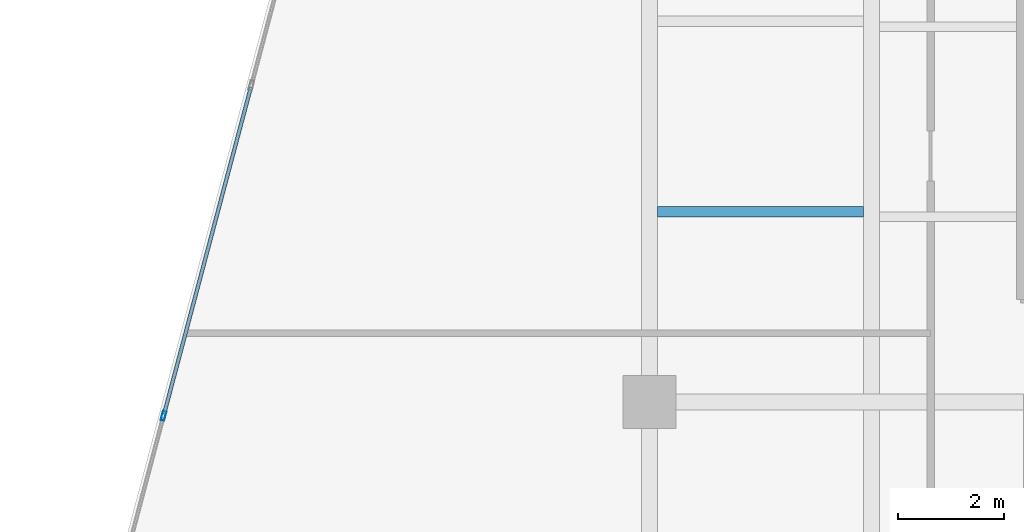
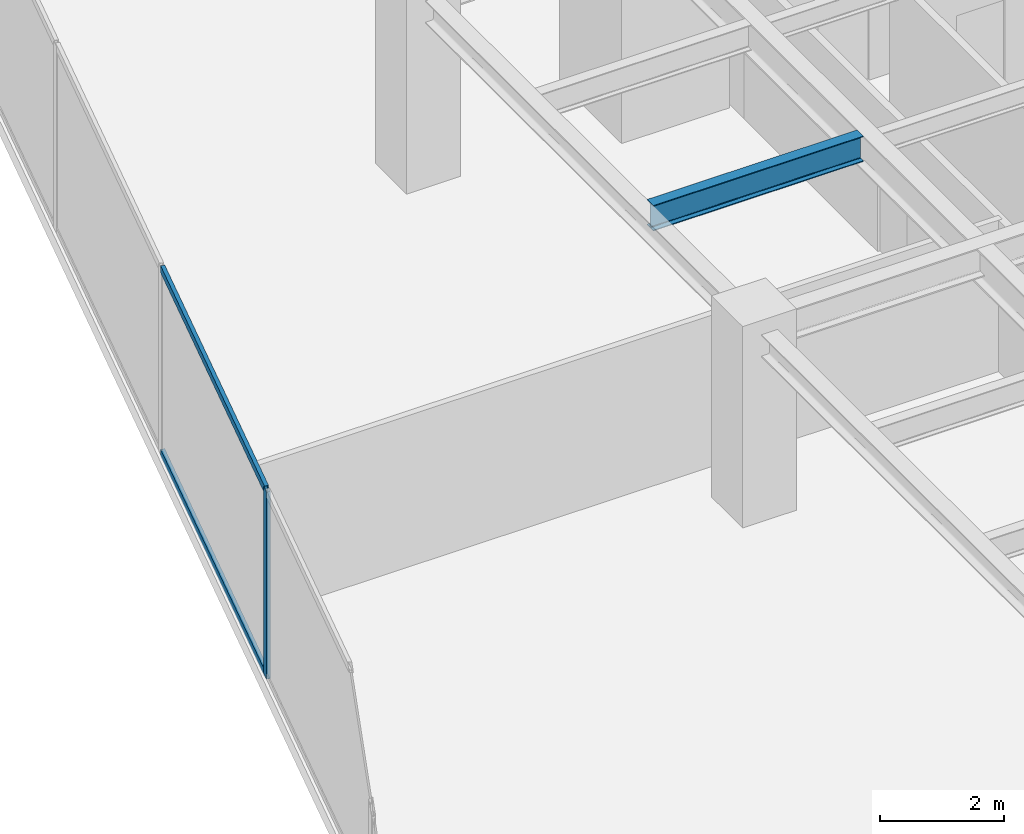
# One storey, part 8 of 27: 3 members, 1 beam, 1 element without a shape of its own.
"""IFC4 building model written with IfcOpenShell, lengths in metres."""

import ifcopenshell
import ifcopenshell.guid

model = None  # the IFC model being written
_history = None  # IfcOwnerHistory: only IFC2X3 demands one
_inside = {}  # id of a spatial element -> (the spatial element, [elements in it])
_under = {}  # id of a project, library or spatial element -> (it, [spatial elements below it])
_declared = {}  # id of a project -> (the project, [libraries it declares])
_typed = {}  # id of a type object -> (the type object, [elements of that type])
_made_of = {}  # id of a material, layer set ... -> (it, [elements and type objects made of it])


def new_model(schema):
    """Start an empty IFC model of exactly this schema.

    Asked for "IFC4X3", IfcOpenShell would pick the latest addendum, in which some entities
    have other attributes; the version numbers below select the first issue.
    IFC2X3 requires an IfcOwnerHistory on every rooted entity: one is made here for all.
    """
    global model, _history
    if schema == "IFC4X3":
        model = ifcopenshell.file(schema_version=(4, 3, 0, 0))
    else:
        model = ifcopenshell.file(schema=schema)
    _inside.clear()
    _under.clear()
    _declared.clear()
    _typed.clear()
    _made_of.clear()
    _history = None
    if model.schema == "IFC2X3":
        org = make("IfcOrganization", Name="unknown")
        user = make(
            "IfcPersonAndOrganization",
            ThePerson=make("IfcPerson", FamilyName="unknown"),
            TheOrganization=org,
        )
        app = make(
            "IfcApplication",
            ApplicationDeveloper=org,
            Version="unknown",
            ApplicationFullName="unknown",
            ApplicationIdentifier="unknown",
        )
        _history = make(
            "IfcOwnerHistory",
            OwningUser=user,
            OwningApplication=app,
            ChangeAction="ADDED",
            CreationDate=0,
        )
    return model


def make(cls, **values):
    """One entity of the class cls with the attributes given. An attribute that is None is left unset."""
    return model.create_entity(
        cls, **{name: value for name, value in values.items() if value is not None}
    )


def rooted(cls, **values):
    """An entity with a GlobalId (a new one), such as an element, a storey or a relation."""
    return make(cls, GlobalId=ifcopenshell.guid.new(), OwnerHistory=_history, **values)


def si_unit(unit_type, name, prefix=None):
    """IfcSIUnit, for example si_unit("LENGTHUNIT", "METRE", prefix="MILLI")."""
    return make("IfcSIUnit", UnitType=unit_type, Prefix=prefix, Name=name)


def assignment(units):
    """IfcUnitAssignment: the units of a project."""
    return None if units is None else make("IfcUnitAssignment", Units=units)


def point(xyz):
    """IfcCartesianPoint."""
    return None if xyz is None else make("IfcCartesianPoint", Coordinates=xyz)


def direction(xyz):
    """IfcDirection."""
    return None if xyz is None else make("IfcDirection", DirectionRatios=xyz)


def frame(location, z_axis=None, x_axis=None):
    """IfcAxis2Placement3D, a coordinate frame: its origin and axes. An axis left out is left unset."""
    return make(
        "IfcAxis2Placement3D",
        Location=point(location),
        Axis=direction(z_axis),
        RefDirection=direction(x_axis),
    )


def frame_2d(location, x_axis=None):
    """IfcAxis2Placement2D, a coordinate frame in the plane: its origin and x axis."""
    return make(
        "IfcAxis2Placement2D", Location=point(location), RefDirection=direction(x_axis)
    )


def origin():
    """The frame at (0, 0, 0) with its axes left unset."""
    return frame((0.0, 0.0, 0.0))


def origin_2d():
    """The frame at (0, 0) in the plane with its x axis left unset."""
    return frame_2d((0.0, 0.0))


def place(relative_to, where):
    """IfcLocalPlacement: puts the frame where relative to a parent placement (None: the world)."""
    return make(
        "IfcLocalPlacement", PlacementRelTo=relative_to, RelativePlacement=where
    )


def context(
    kind, dimensions, precision=None, world=None, true_north=None, identifier=None
):
    """IfcGeometricRepresentationContext, for example the 3D "Model" context."""
    return make(
        "IfcGeometricRepresentationContext",
        ContextIdentifier=identifier,
        ContextType=kind,
        CoordinateSpaceDimension=dimensions,
        Precision=precision,
        WorldCoordinateSystem=world,
        TrueNorth=true_north,
    )


def subcontext(parent, identifier, kind, view, scale=None):
    """IfcGeometricRepresentationSubContext, for example "Body" below "Model"."""
    return make(
        "IfcGeometricRepresentationSubContext",
        ContextIdentifier=identifier,
        ContextType=kind,
        ParentContext=parent,
        TargetScale=scale,
        TargetView=view,
    )


def project(units=None, contexts=None):
    """IfcProject with its units and contexts."""
    return rooted(
        "IfcProject",
        Name="project",
        RepresentationContexts=contexts,
        UnitsInContext=assignment(units),
    )


def spatial(cls, under=None, at=None, **own):
    """A site, building, storey or space (cls), placed at a placement, below another one or the project."""
    s = rooted(cls, ObjectPlacement=at, **own)
    if under is not None:
        _under.setdefault(under.id(), (under, []))[1].append(s)
    return s


def profile(cls, at=None, kind="AREA", **sizes):
    """A parametric profile (cls). Its sizes go by their IFC names, for example OverallWidth=200.0."""
    return make(cls, ProfileType=kind, Position=at, **sizes)


def hollow_rectangle(**sizes):
    """IfcRectangleHollowProfileDef."""
    return profile("IfcRectangleHollowProfileDef", **sizes)


def i_section(**sizes):
    """IfcIShapeProfileDef."""
    return profile("IfcIShapeProfileDef", **sizes)


def extrude(swept, where, along, depth):
    """IfcExtrudedAreaSolid: the profile swept, set in the frame where, extruded along a direction by depth."""
    return make(
        "IfcExtrudedAreaSolid",
        SweptArea=swept,
        Position=where,
        ExtrudedDirection=direction(along),
        Depth=depth,
    )


def shape(context_of_items, identifier, shape_type, items):
    """IfcShapeRepresentation: the items that make up one representation, for example the "Body"."""
    return make(
        "IfcShapeRepresentation",
        ContextOfItems=context_of_items,
        RepresentationIdentifier=identifier,
        RepresentationType=shape_type,
        Items=items,
    )


def source(mapping_origin, context_of_items, identifier, shape_type, items):
    """IfcRepresentationMap: a shape defined once, which mapped items show again and again."""
    return make(
        "IfcRepresentationMap",
        MappingOrigin=mapping_origin,
        MappedRepresentation=shape(context_of_items, identifier, shape_type, items),
    )


def transform(
    local_origin,
    x_axis=None,
    y_axis=None,
    z_axis=None,
    scale=None,
    scale2=None,
    scale3=None,
    uniform=True,
):
    """IfcCartesianTransformationOperator3D, or its non-uniform kind. x_axis, y_axis, z_axis: its Axis1, 2, 3."""
    if uniform:
        return make(
            "IfcCartesianTransformationOperator3D",
            Axis1=direction(x_axis),
            Axis2=direction(y_axis),
            LocalOrigin=point(local_origin),
            Scale=scale,
            Axis3=direction(z_axis),
        )
    return make(
        "IfcCartesianTransformationOperator3DnonUniform",
        Axis1=direction(x_axis),
        Axis2=direction(y_axis),
        LocalOrigin=point(local_origin),
        Scale=scale,
        Axis3=direction(z_axis),
        Scale2=scale2,
        Scale3=scale3,
    )


def mapped(mapping_source, mapping_target):
    """IfcMappedItem: shows the shape of a source again, moved by a transform."""
    return make(
        "IfcMappedItem", MappingSource=mapping_source, MappingTarget=mapping_target
    )


def material(Name=None, Category=None):
    """IfcMaterial."""
    return make("IfcMaterial", Name=Name, Category=Category)


def material_profile(
    of_material, cross_section, Name=None, Category=None, Priority=None
):
    """IfcMaterialProfile: a cross section and its material."""
    return make(
        "IfcMaterialProfile",
        Name=Name,
        Material=of_material,
        Profile=cross_section,
        Priority=Priority,
        Category=Category,
    )


def profile_set(profiles, Name=None, composite=None):
    """IfcMaterialProfileSet."""
    return make(
        "IfcMaterialProfileSet",
        Name=Name,
        MaterialProfiles=profiles,
        CompositeProfile=composite,
    )


def made_of(thing, what):
    """Note that an element or type object is made of a material, layer set ...; save() writes the relation."""
    if what is not None:
        _made_of.setdefault(what.id(), (what, []))[1].append(thing)
    return thing


def type_object(cls, material=None, **own):
    """A type object (cls), such as IfcWallType, which elements share."""
    return made_of(rooted(cls, **own), material)


def type_shapes(of_type, sources):
    """Give a type object the sources (RepresentationMaps) that its elements show as mapped items."""
    of_type.RepresentationMaps = sources


def element(
    cls,
    number,
    at=None,
    inside=None,
    cuts=None,
    type_object=None,
    material=None,
    context=None,
    identifier="Body",
    shape_type=None,
    held_by="IfcProductDefinitionShape",
    body=None,
    shapes=None,
    **own,
):
    """One element of the class cls, such as IfcWall. Its Tag is "e" and its number.

    at: its placement. inside: the storey or other place that contains it. cuts: it is an
    opening in that element (IfcRelVoidsElement). A single representation is given by context,
    identifier, shape_type and body (its items); several are given by shapes. held_by: the class
    of the entity that holds the representations. save() writes the other relations.
    """
    e = rooted(cls, Tag="e%d" % number, ObjectPlacement=at, **own)
    if body is not None:
        shapes = [shape(context, identifier, shape_type, body)]
    if shapes is not None:
        e.Representation = make(held_by, Representations=shapes)
    if inside is not None:
        _inside.setdefault(inside.id(), (inside, []))[1].append(e)
    if cuts is not None:
        rooted(
            "IfcRelVoidsElement", RelatingBuildingElement=cuts, RelatedOpeningElement=e
        )
    if type_object is not None:
        _typed.setdefault(type_object.id(), (type_object, []))[1].append(e)
    return made_of(e, material)


def aggregate(whole, parts):
    """IfcRelAggregates: a whole, such as a stair, and the parts it consists of."""
    return rooted("IfcRelAggregates", RelatingObject=whole, RelatedObjects=parts)


def save(model, path):
    """Write the relations noted so far, then the file.

    IfcRelAggregates (storeys below a building ...), IfcRelContainedInSpatialStructure (elements
    in a storey), IfcRelDefinesByType, IfcRelAssociatesMaterial and IfcRelDeclares: one each for
    every whole, place, type object, material and project.
    """
    for whole, parts in _under.values():
        aggregate(whole, parts)
    for where, things in _inside.values():
        rooted(
            "IfcRelContainedInSpatialStructure",
            RelatedElements=things,
            RelatingStructure=where,
        )
    for kind, things in _typed.values():
        rooted("IfcRelDefinesByType", RelatedObjects=things, RelatingType=kind)
    for what, things in _made_of.values():
        rooted("IfcRelAssociatesMaterial", RelatedObjects=things, RelatingMaterial=what)
    for by, libraries in _declared.values():
        rooted("IfcRelDeclares", RelatingContext=by, RelatedDefinitions=libraries)
    model.write(path)


model = new_model("IFC4")

# Units and contexts
model_context = context("Model", 3, precision=1e-05, world=origin(), true_north=direction((0.0, 1.0)))
body_context = subcontext(model_context, "Body", "Model", "MODEL_VIEW")
ifc_project = project(units=[si_unit("LENGTHUNIT", "METRE"), si_unit("AREAUNIT", "SQUARE_METRE"), si_unit("VOLUMEUNIT", "CUBIC_METRE"), si_unit("PLANEANGLEUNIT", "RADIAN"), si_unit("MASSUNIT", "GRAM", prefix="KILO")], contexts=[model_context])

# Site, building, storey
site_placement = place(None, origin())
site = spatial("IfcSite", under=ifc_project, at=site_placement, CompositionType="ELEMENT")
building_placement = place(site_placement, origin())
building = spatial("IfcBuilding", under=site, at=building_placement, Name="Krantzveldt Concourse Tower", CompositionType="ELEMENT")
storey_placement = place(building_placement, frame((0.0, 0.0, 97.949951171875)))
storey = spatial("IfcBuildingStorey", under=building, at=storey_placement, Name="L23", CompositionType="ELEMENT", Elevation=97.949951171875)

# Beam
ifc_material_1 = material(Name="Steel S355JR", Category="steel")
ifc_material_profile_1 = material_profile(ifc_material_1, i_section(OverallWidth=0.199951171875, OverallDepth=0.5, WebThickness=0.01025390625, FlangeThickness=0.01611328125, FilletRadius=0.02099609375, at=origin_2d()), Name="Steel S355JR", Category="steel")
ifc_profile_set_1 = profile_set([ifc_material_profile_1], Name="Steel S355JR - IPE 500")
beam_type = type_object("IfcBeamType", Name="BM-J-IPE500", PredefinedType="JOIST", material=ifc_profile_set_1)
shared_shape_1 = source(origin(), body_context, "Body", "SweptSolid", [
    extrude(i_section(OverallWidth=0.199951171875, OverallDepth=0.5, WebThickness=0.01025390625, FlangeThickness=0.01611328125, FilletRadius=0.02099609375, at=origin_2d()), origin(), (0.0, 0.0, 1.0), 3.900146484375),
])
type_shapes(beam_type, [shared_shape_1])
beam_placement = place(storey_placement, frame((21.14990234375, 30.300048828125, 3.420166015625), z_axis=(1.0, 0.0, 0.0), x_axis=(0.0, 1.0, 0.0)))
element("IfcBeam", 1, at=beam_placement, inside=storey, type_object=beam_type, Name="L23 Secondary Floor Joist JW-3", PredefinedType="JOIST", context=body_context, shape_type="MappedRepresentation", body=[
    mapped(shared_shape_1, transform((0.0, 0.0, 0.0), x_axis=(1.0, 0.0, 0.0), y_axis=(0.0, 1.0, 0.0), z_axis=(0.0, 0.0, 1.0), scale=1.0)),
])

# Curtain wall, members
ifc_material_2 = material(Name="Anodised aluminium 6063-T6", Category="aluminium")
curtain_wall_type = type_object("IfcCurtainWallType", Name="CW2", PredefinedType="USERDEFINED", material=ifc_material_2)
curtain_wall_placement = place(storey_placement, origin())
curtain_wall = element("IfcCurtainWall", 2, at=curtain_wall_placement, inside=storey, type_object=curtain_wall_type, Name="CW-L23-F01", ObjectType="UNITISED CURTAIN WALL", PredefinedType="USERDEFINED")
ifc_material_profile_2 = material_profile(ifc_material_2, hollow_rectangle(XDim=0.070068359375, YDim=0.179931640625, WallThickness=0.0048828125, at=origin_2d()), Name="Anodised aluminium 6063-T6", Category="aluminium")
ifc_profile_set_2 = profile_set([ifc_material_profile_2], Name="Anodised aluminium 6063-T6 - ALU-MULL 180x70x5")
member_type_1 = type_object("IfcMemberType", Name="CW-MUL-180", PredefinedType="MULLION", material=ifc_profile_set_2)
shared_shape_2 = source(origin(), body_context, "Body", "SweptSolid", [
    extrude(hollow_rectangle(XDim=0.070068359375, YDim=0.179931640625, WallThickness=0.0048828125, at=origin_2d()), origin(), (0.0, 0.0, 1.0), 3.670166015625),
])
type_shapes(member_type_1, [shared_shape_2])
member_1_placement = place(storey_placement, frame((11.81103515625, 26.43408203125, 0.0), z_axis=(0.0, 0.0, 1.0), x_axis=(0.966488186373, -0.256711093648, 0.0)))
member_1 = element("IfcMember", 3, at=member_1_placement, type_object=member_type_1, Name="CW-Z12 mullion 5", PredefinedType="MULLION", context=body_context, shape_type="MappedRepresentation", body=[
    mapped(shared_shape_2, transform((0.0, 0.0, 0.0), x_axis=(1.0, 0.0, 0.0), y_axis=(0.0, 1.0, 0.0), z_axis=(0.0, 0.0, 1.0), scale=1.0)),
])
ifc_material_profile_3 = material_profile(ifc_material_2, hollow_rectangle(XDim=0.070068359375, YDim=0.139892578125, WallThickness=0.0048828125, at=origin_2d()), Name="Anodised aluminium 6063-T6", Category="aluminium")
ifc_profile_set_3 = profile_set([ifc_material_profile_3], Name="Anodised aluminium 6063-T6 - ALU-TRAN 140x70x5")
member_type_2 = type_object("IfcMemberType", Name="CW-TRN-150", PredefinedType="USERDEFINED", material=ifc_profile_set_3)
shared_shape_3 = source(origin(), body_context, "Body", "SweptSolid", [
    extrude(hollow_rectangle(XDim=0.070068359375, YDim=0.139892578125, WallThickness=0.0048828125, at=origin_2d()), origin(), (0.0, 0.0, 1.0), 6.396728515625),
])
type_shapes(member_type_2, [shared_shape_3])
member_2_placement = place(storey_placement, frame((13.462158203125, 32.650146484375, 0.03515625), z_axis=(-0.256707571528, -0.966489121884, 0.0), x_axis=(0.966489121884, -0.256707571528, 0.0)))
member_2 = element("IfcMember", 4, at=member_2_placement, type_object=member_type_2, Name="CW-Z12 transom 4.1", ObjectType="TRANSOM", PredefinedType="USERDEFINED", context=body_context, shape_type="MappedRepresentation", body=[
    mapped(shared_shape_3, transform((0.0, 0.0, 0.0), x_axis=(1.0, 0.0, 0.0), y_axis=(0.0, 1.0, 0.0), z_axis=(0.0, 0.0, 1.0), scale=1.0)),
])
member_3_placement = place(storey_placement, frame((13.462158203125, 32.650146484375, 3.635009765625), z_axis=(-0.256707571528, -0.966489121884, 0.0), x_axis=(0.966489121884, -0.256707571528, 0.0)))
member_3 = element("IfcMember", 5, at=member_3_placement, type_object=member_type_2, Name="CW-Z12 transom 4.2", ObjectType="TRANSOM", PredefinedType="USERDEFINED", context=body_context, shape_type="MappedRepresentation", body=[
    mapped(shared_shape_3, transform((0.0, 0.0, 0.0), x_axis=(1.0, 0.0, 0.0), y_axis=(0.0, 1.0, 0.0), z_axis=(0.0, 0.0, 1.0), scale=1.0)),
])
aggregate(curtain_wall, [member_1, member_2, member_3])

save(model, "model.ifc")
